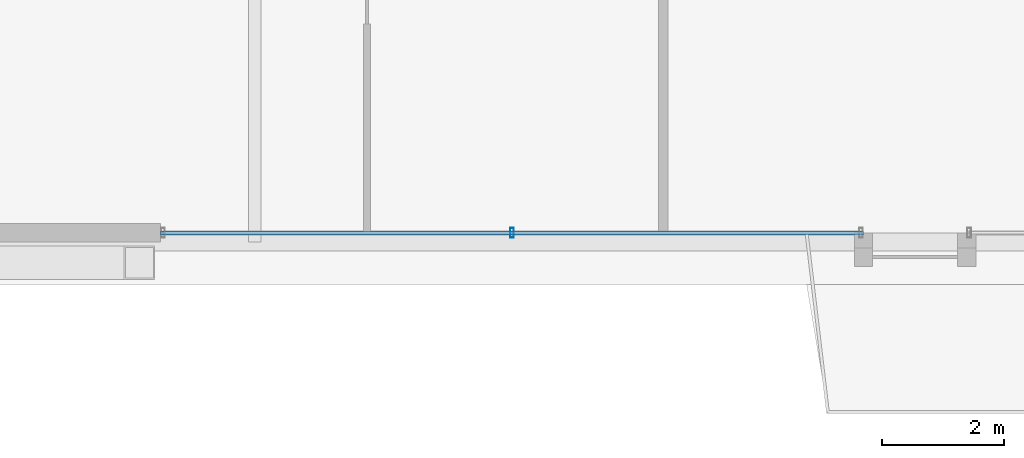
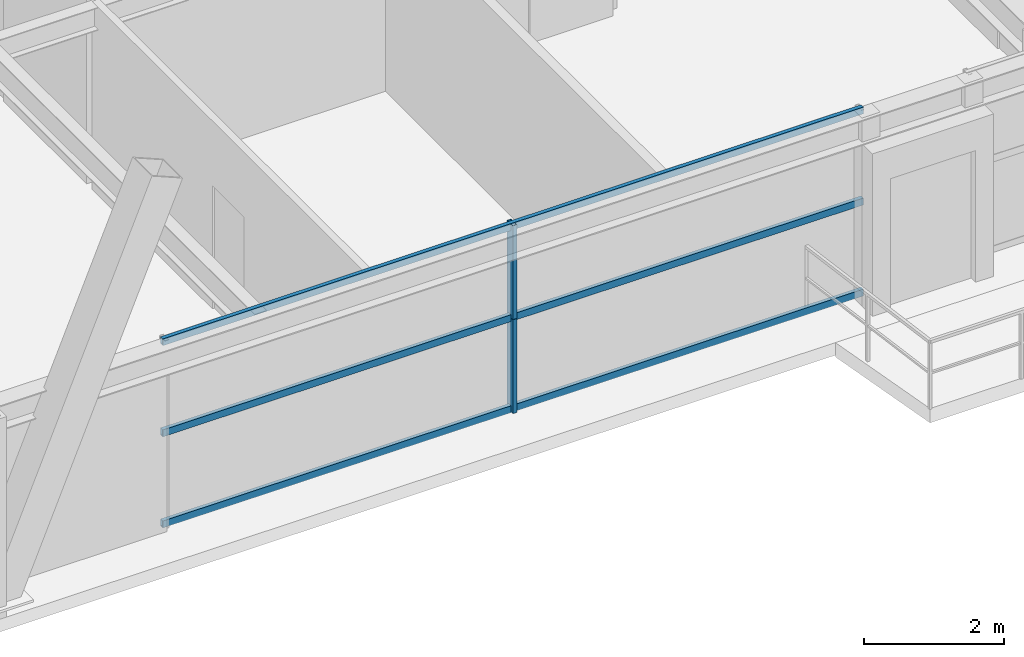
# One storey, part 6 of 42: 5 members, 1 element without a shape of its own.
"""IFC4 building model written with IfcOpenShell, lengths in metres."""

from ifc_helpers import new_model, si_unit, direction, frame, origin, origin_2d, place, context, subcontext, project, spatial, hollow_rectangle, extrude, source, transform, mapped, material, layer, layer_set, material_profile, profile_set, type_object, element, aggregate, save


model = new_model("IFC4")

# Units and contexts
model_context = context("Model", 3, precision=1e-05, world=origin(), true_north=direction((0.0, 1.0)))
body_context = subcontext(model_context, "Body", "Model", "MODEL_VIEW")
ifc_project = project(units=[si_unit("LENGTHUNIT", "METRE"), si_unit("AREAUNIT", "SQUARE_METRE"), si_unit("VOLUMEUNIT", "CUBIC_METRE"), si_unit("PLANEANGLEUNIT", "RADIAN"), si_unit("MASSUNIT", "GRAM", prefix="KILO"), si_unit("THERMODYNAMICTEMPERATUREUNIT", "KELVIN"), si_unit("POWERUNIT", "WATT")], contexts=[model_context])

# Site, building, storey
site_placement = place(None, origin())
site = spatial("IfcSite", under=ifc_project, at=site_placement, CompositionType="ELEMENT")
building_placement = place(site_placement, origin())
building = spatial("IfcBuilding", under=site, at=building_placement, Name="Yuzanri Waterfront Tower", CompositionType="ELEMENT")
storey_placement = place(building_placement, frame((0.0, 0.0, 205.5)))
storey = spatial("IfcBuildingStorey", under=building, at=storey_placement, Name="L54", CompositionType="ELEMENT", Elevation=205.5)

# Curtain wall, members
ifc_material_1 = material(Name="Anodized Architectural Bronze", Category="metal")
ifc_layer = layer(ifc_material_1, 0.159912109375)
ifc_layer_set = layer_set([ifc_layer], Name="Anodized Architectural Bronze")
curtain_wall_type = type_object("IfcCurtainWallType", Name="Anodized Bronze Mid-Rise Residential Acoustic Unitized Curtain Wall 7200", PredefinedType="NOTDEFINED", material=ifc_layer_set)
curtain_wall_placement = place(storey_placement, origin())
curtain_wall = element("IfcCurtainWall", 1, at=curtain_wall_placement, inside=storey, type_object=curtain_wall_type, Name="L54 Curtain Wall CW-L54-SL1", PredefinedType="NOTDEFINED")
ifc_material_2 = material(Name="Anodized Architectural Bronze", Category="metal")
ifc_material_profile_1 = material_profile(ifc_material_2, hollow_rectangle(XDim=0.06494140625, YDim=0.159912109375, WallThickness=0.00341796875, at=origin_2d()), Name="CWM 65x160")
ifc_profile_set_1 = profile_set([ifc_material_profile_1], Name="Anodized Architectural Bronze")
member_type_1 = type_object("IfcMemberType", Name="Anodized Bronze Upper-Zone Curtain-Wall Mullion 65x160", PredefinedType="MULLION", material=ifc_profile_set_1)
shared_shape_1 = source(origin(), body_context, "Body", "SweptSolid", [
    extrude(hollow_rectangle(XDim=0.06494140625, YDim=0.159912109375, WallThickness=0.00341796875, at=origin_2d()), origin(), (0.0, 0.0, 1.0), 1.637939453125),
])
member_1_placement = place(storey_placement, frame((28.032470703125, 3.85009765625, 0.0), z_axis=(0.0, 0.0, 1.0), x_axis=(1.0, 0.0, 0.0)))
member_1 = element("IfcMember", 2, at=member_1_placement, type_object=member_type_1, Name="CW-L54-SL1 Lower Mullion 01", PredefinedType="MULLION", context=body_context, shape_type="MappedRepresentation", body=[
    mapped(shared_shape_1, transform((0.0, 0.0, 0.0), scale=1.0)),
])
member_2_placement = place(storey_placement, frame((28.032470703125, 3.85009765625, 1.64208984375), z_axis=(0.0, 0.0, 1.0), x_axis=(1.0, 0.0, 0.0)))
member_2 = element("IfcMember", 3, at=member_2_placement, type_object=member_type_1, Name="CW-L54-SL1 Upper Mullion 01", PredefinedType="MULLION", context=body_context, shape_type="MappedRepresentation", body=[
    mapped(shared_shape_1, transform((0.0, 0.0, 0.0), scale=1.0)),
])
ifc_material_3 = material(Name="Anodized Architectural Bronze", Category="metal")
ifc_material_profile_2 = material_profile(ifc_material_3, hollow_rectangle(XDim=0.06494140625, YDim=0.1201171875, WallThickness=0.00341796875, at=origin_2d()), Name="CWT 65x120")
ifc_profile_set_2 = profile_set([ifc_material_profile_2], Name="Anodized Architectural Bronze")
member_type_2 = type_object("IfcMemberType", Name="Anodized Bronze Secondary Curtain-Wall Transom 65x120", PredefinedType="USERDEFINED", material=ifc_profile_set_2)
shared_shape_2 = source(origin(), body_context, "Body", "SweptSolid", [
    extrude(hollow_rectangle(XDim=0.06494140625, YDim=0.1201171875, WallThickness=0.00341796875, at=origin_2d()), origin(), (0.0, 0.0, 1.0), 11.56494140625),
])
member_3_placement = place(storey_placement, frame((22.25, 3.85009765625, 0.050048828125), z_axis=(1.0, 0.0, 0.0), x_axis=(0.0, 1.0, 0.0)))
member_3 = element("IfcMember", 4, at=member_3_placement, type_object=member_type_2, Name="CW-L54-SL1 Transom 1", ObjectType="TRANSOM", PredefinedType="USERDEFINED", context=body_context, shape_type="MappedRepresentation", body=[
    mapped(shared_shape_2, transform((0.0, 0.0, 0.0), scale=1.0)),
])
member_4_placement = place(storey_placement, frame((22.25, 3.85009765625, 1.639892578125), z_axis=(1.0, 0.0, 0.0), x_axis=(0.0, 1.0, 0.0)))
member_4 = element("IfcMember", 5, at=member_4_placement, type_object=member_type_2, Name="CW-L54-SL1 Transom 2", ObjectType="TRANSOM", PredefinedType="USERDEFINED", context=body_context, shape_type="MappedRepresentation", body=[
    mapped(shared_shape_2, transform((0.0, 0.0, 0.0), scale=1.0)),
])
member_5_placement = place(storey_placement, frame((22.25, 3.85009765625, 3.22998046875), z_axis=(1.0, 0.0, 0.0), x_axis=(0.0, 1.0, 0.0)))
member_5 = element("IfcMember", 6, at=member_5_placement, type_object=member_type_2, Name="CW-L54-SL1 Transom 3", ObjectType="TRANSOM", PredefinedType="USERDEFINED", context=body_context, shape_type="MappedRepresentation", body=[
    mapped(shared_shape_2, transform((0.0, 0.0, 0.0), scale=1.0)),
])
aggregate(curtain_wall, [member_1, member_2, member_3, member_4, member_5])

save(model, "model.ifc")
